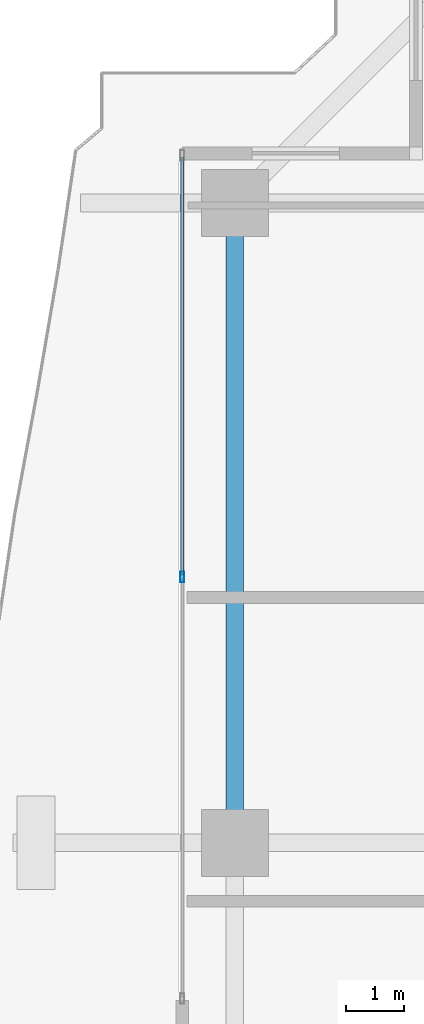
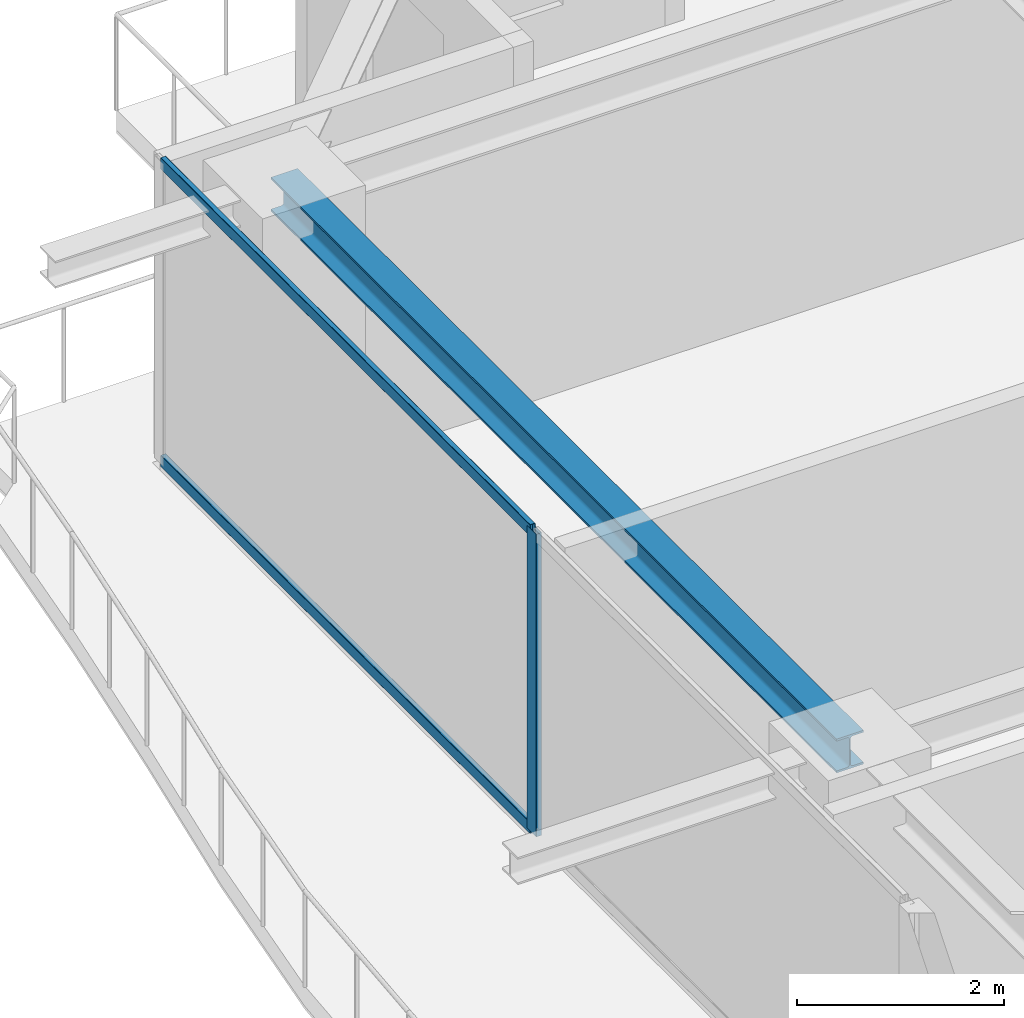
# One storey, part 17 of 38: 3 members, 1 beam, 1 element without a shape of its own.
"""IFC4 building model written with IfcOpenShell, lengths in metres."""

import ifcopenshell
import ifcopenshell.guid

model = None  # the IFC model being written
_history = None  # IfcOwnerHistory: only IFC2X3 demands one
_inside = {}  # id of a spatial element -> (the spatial element, [elements in it])
_under = {}  # id of a project, library or spatial element -> (it, [spatial elements below it])
_declared = {}  # id of a project -> (the project, [libraries it declares])
_typed = {}  # id of a type object -> (the type object, [elements of that type])
_made_of = {}  # id of a material, layer set ... -> (it, [elements and type objects made of it])


def new_model(schema):
    """Start an empty IFC model of exactly this schema.

    Asked for "IFC4X3", IfcOpenShell would pick the latest addendum, in which some entities
    have other attributes; the version numbers below select the first issue.
    IFC2X3 requires an IfcOwnerHistory on every rooted entity: one is made here for all.
    """
    global model, _history
    if schema == "IFC4X3":
        model = ifcopenshell.file(schema_version=(4, 3, 0, 0))
    else:
        model = ifcopenshell.file(schema=schema)
    _inside.clear()
    _under.clear()
    _declared.clear()
    _typed.clear()
    _made_of.clear()
    _history = None
    if model.schema == "IFC2X3":
        org = make("IfcOrganization", Name="unknown")
        user = make(
            "IfcPersonAndOrganization",
            ThePerson=make("IfcPerson", FamilyName="unknown"),
            TheOrganization=org,
        )
        app = make(
            "IfcApplication",
            ApplicationDeveloper=org,
            Version="unknown",
            ApplicationFullName="unknown",
            ApplicationIdentifier="unknown",
        )
        _history = make(
            "IfcOwnerHistory",
            OwningUser=user,
            OwningApplication=app,
            ChangeAction="ADDED",
            CreationDate=0,
        )
    return model


def make(cls, **values):
    """One entity of the class cls with the attributes given. An attribute that is None is left unset."""
    return model.create_entity(
        cls, **{name: value for name, value in values.items() if value is not None}
    )


def rooted(cls, **values):
    """An entity with a GlobalId (a new one), such as an element, a storey or a relation."""
    return make(cls, GlobalId=ifcopenshell.guid.new(), OwnerHistory=_history, **values)


def si_unit(unit_type, name, prefix=None):
    """IfcSIUnit, for example si_unit("LENGTHUNIT", "METRE", prefix="MILLI")."""
    return make("IfcSIUnit", UnitType=unit_type, Prefix=prefix, Name=name)


def assignment(units):
    """IfcUnitAssignment: the units of a project."""
    return None if units is None else make("IfcUnitAssignment", Units=units)


def point(xyz):
    """IfcCartesianPoint."""
    return None if xyz is None else make("IfcCartesianPoint", Coordinates=xyz)


def direction(xyz):
    """IfcDirection."""
    return None if xyz is None else make("IfcDirection", DirectionRatios=xyz)


def frame(location, z_axis=None, x_axis=None):
    """IfcAxis2Placement3D, a coordinate frame: its origin and axes. An axis left out is left unset."""
    return make(
        "IfcAxis2Placement3D",
        Location=point(location),
        Axis=direction(z_axis),
        RefDirection=direction(x_axis),
    )


def frame_2d(location, x_axis=None):
    """IfcAxis2Placement2D, a coordinate frame in the plane: its origin and x axis."""
    return make(
        "IfcAxis2Placement2D", Location=point(location), RefDirection=direction(x_axis)
    )


def origin():
    """The frame at (0, 0, 0) with its axes left unset."""
    return frame((0.0, 0.0, 0.0))


def origin_2d():
    """The frame at (0, 0) in the plane with its x axis left unset."""
    return frame_2d((0.0, 0.0))


def place(relative_to, where):
    """IfcLocalPlacement: puts the frame where relative to a parent placement (None: the world)."""
    return make(
        "IfcLocalPlacement", PlacementRelTo=relative_to, RelativePlacement=where
    )


def context(
    kind, dimensions, precision=None, world=None, true_north=None, identifier=None
):
    """IfcGeometricRepresentationContext, for example the 3D "Model" context."""
    return make(
        "IfcGeometricRepresentationContext",
        ContextIdentifier=identifier,
        ContextType=kind,
        CoordinateSpaceDimension=dimensions,
        Precision=precision,
        WorldCoordinateSystem=world,
        TrueNorth=true_north,
    )


def subcontext(parent, identifier, kind, view, scale=None):
    """IfcGeometricRepresentationSubContext, for example "Body" below "Model"."""
    return make(
        "IfcGeometricRepresentationSubContext",
        ContextIdentifier=identifier,
        ContextType=kind,
        ParentContext=parent,
        TargetScale=scale,
        TargetView=view,
    )


def project(units=None, contexts=None):
    """IfcProject with its units and contexts."""
    return rooted(
        "IfcProject",
        Name="project",
        RepresentationContexts=contexts,
        UnitsInContext=assignment(units),
    )


def spatial(cls, under=None, at=None, **own):
    """A site, building, storey or space (cls), placed at a placement, below another one or the project."""
    s = rooted(cls, ObjectPlacement=at, **own)
    if under is not None:
        _under.setdefault(under.id(), (under, []))[1].append(s)
    return s


def profile(cls, at=None, kind="AREA", **sizes):
    """A parametric profile (cls). Its sizes go by their IFC names, for example OverallWidth=200.0."""
    return make(cls, ProfileType=kind, Position=at, **sizes)


def hollow_rectangle(**sizes):
    """IfcRectangleHollowProfileDef."""
    return profile("IfcRectangleHollowProfileDef", **sizes)


def i_section(**sizes):
    """IfcIShapeProfileDef."""
    return profile("IfcIShapeProfileDef", **sizes)


def extrude(swept, where, along, depth):
    """IfcExtrudedAreaSolid: the profile swept, set in the frame where, extruded along a direction by depth."""
    return make(
        "IfcExtrudedAreaSolid",
        SweptArea=swept,
        Position=where,
        ExtrudedDirection=direction(along),
        Depth=depth,
    )


def shape(context_of_items, identifier, shape_type, items):
    """IfcShapeRepresentation: the items that make up one representation, for example the "Body"."""
    return make(
        "IfcShapeRepresentation",
        ContextOfItems=context_of_items,
        RepresentationIdentifier=identifier,
        RepresentationType=shape_type,
        Items=items,
    )


def source(mapping_origin, context_of_items, identifier, shape_type, items):
    """IfcRepresentationMap: a shape defined once, which mapped items show again and again."""
    return make(
        "IfcRepresentationMap",
        MappingOrigin=mapping_origin,
        MappedRepresentation=shape(context_of_items, identifier, shape_type, items),
    )


def transform(
    local_origin,
    x_axis=None,
    y_axis=None,
    z_axis=None,
    scale=None,
    scale2=None,
    scale3=None,
    uniform=True,
):
    """IfcCartesianTransformationOperator3D, or its non-uniform kind. x_axis, y_axis, z_axis: its Axis1, 2, 3."""
    if uniform:
        return make(
            "IfcCartesianTransformationOperator3D",
            Axis1=direction(x_axis),
            Axis2=direction(y_axis),
            LocalOrigin=point(local_origin),
            Scale=scale,
            Axis3=direction(z_axis),
        )
    return make(
        "IfcCartesianTransformationOperator3DnonUniform",
        Axis1=direction(x_axis),
        Axis2=direction(y_axis),
        LocalOrigin=point(local_origin),
        Scale=scale,
        Axis3=direction(z_axis),
        Scale2=scale2,
        Scale3=scale3,
    )


def mapped(mapping_source, mapping_target):
    """IfcMappedItem: shows the shape of a source again, moved by a transform."""
    return make(
        "IfcMappedItem", MappingSource=mapping_source, MappingTarget=mapping_target
    )


def material(Name=None, Category=None):
    """IfcMaterial."""
    return make("IfcMaterial", Name=Name, Category=Category)


def layer(
    of_material, thickness, ventilated=None, Name=None, Category=None, Priority=None
):
    """IfcMaterialLayer: one layer of a wall or slab, of a material (None: an air gap)."""
    return make(
        "IfcMaterialLayer",
        Material=of_material,
        LayerThickness=thickness,
        IsVentilated=ventilated,
        Name=Name,
        Category=Category,
        Priority=Priority,
    )


def layer_set(layers, Name=None):
    """IfcMaterialLayerSet."""
    return make("IfcMaterialLayerSet", MaterialLayers=layers, LayerSetName=Name)


def material_profile(
    of_material, cross_section, Name=None, Category=None, Priority=None
):
    """IfcMaterialProfile: a cross section and its material."""
    return make(
        "IfcMaterialProfile",
        Name=Name,
        Material=of_material,
        Profile=cross_section,
        Priority=Priority,
        Category=Category,
    )


def profile_set(profiles, Name=None, composite=None):
    """IfcMaterialProfileSet."""
    return make(
        "IfcMaterialProfileSet",
        Name=Name,
        MaterialProfiles=profiles,
        CompositeProfile=composite,
    )


def made_of(thing, what):
    """Note that an element or type object is made of a material, layer set ...; save() writes the relation."""
    if what is not None:
        _made_of.setdefault(what.id(), (what, []))[1].append(thing)
    return thing


def type_object(cls, material=None, **own):
    """A type object (cls), such as IfcWallType, which elements share."""
    return made_of(rooted(cls, **own), material)


def element(
    cls,
    number,
    at=None,
    inside=None,
    cuts=None,
    type_object=None,
    material=None,
    context=None,
    identifier="Body",
    shape_type=None,
    held_by="IfcProductDefinitionShape",
    body=None,
    shapes=None,
    **own,
):
    """One element of the class cls, such as IfcWall. Its Tag is "e" and its number.

    at: its placement. inside: the storey or other place that contains it. cuts: it is an
    opening in that element (IfcRelVoidsElement). A single representation is given by context,
    identifier, shape_type and body (its items); several are given by shapes. held_by: the class
    of the entity that holds the representations. save() writes the other relations.
    """
    e = rooted(cls, Tag="e%d" % number, ObjectPlacement=at, **own)
    if body is not None:
        shapes = [shape(context, identifier, shape_type, body)]
    if shapes is not None:
        e.Representation = make(held_by, Representations=shapes)
    if inside is not None:
        _inside.setdefault(inside.id(), (inside, []))[1].append(e)
    if cuts is not None:
        rooted(
            "IfcRelVoidsElement", RelatingBuildingElement=cuts, RelatedOpeningElement=e
        )
    if type_object is not None:
        _typed.setdefault(type_object.id(), (type_object, []))[1].append(e)
    return made_of(e, material)


def aggregate(whole, parts):
    """IfcRelAggregates: a whole, such as a stair, and the parts it consists of."""
    return rooted("IfcRelAggregates", RelatingObject=whole, RelatedObjects=parts)


def save(model, path):
    """Write the relations noted so far, then the file.

    IfcRelAggregates (storeys below a building ...), IfcRelContainedInSpatialStructure (elements
    in a storey), IfcRelDefinesByType, IfcRelAssociatesMaterial and IfcRelDeclares: one each for
    every whole, place, type object, material and project.
    """
    for whole, parts in _under.values():
        aggregate(whole, parts)
    for where, things in _inside.values():
        rooted(
            "IfcRelContainedInSpatialStructure",
            RelatedElements=things,
            RelatingStructure=where,
        )
    for kind, things in _typed.values():
        rooted("IfcRelDefinesByType", RelatedObjects=things, RelatingType=kind)
    for what, things in _made_of.values():
        rooted("IfcRelAssociatesMaterial", RelatedObjects=things, RelatingMaterial=what)
    for by, libraries in _declared.values():
        rooted("IfcRelDeclares", RelatingContext=by, RelatedDefinitions=libraries)
    model.write(path)


model = new_model("IFC4")

# Units and contexts
model_context = context("Model", 3, precision=1e-05, world=origin(), true_north=direction((0.0, 1.0)))
body_context = subcontext(model_context, "Body", "Model", "MODEL_VIEW")
ifc_project = project(units=[si_unit("LENGTHUNIT", "METRE"), si_unit("AREAUNIT", "SQUARE_METRE"), si_unit("VOLUMEUNIT", "CUBIC_METRE"), si_unit("PLANEANGLEUNIT", "RADIAN"), si_unit("MASSUNIT", "GRAM", prefix="KILO")], contexts=[model_context])

# Site, building, storey
site_placement = place(None, origin())
site = spatial("IfcSite", under=ifc_project, at=site_placement, CompositionType="ELEMENT")
building_placement = place(site_placement, origin())
building = spatial("IfcBuilding", under=site, at=building_placement, Name="Serunith Strait Residences", CompositionType="ELEMENT")
storey_placement = place(building_placement, frame((0.0, 0.0, 237.39990234375)))
storey = spatial("IfcBuildingStorey", under=building, at=storey_placement, Name="L59", CompositionType="ELEMENT", Elevation=237.39990234375)

# Beam
ifc_material_1 = material(Name="Steel S355J2", Category="steel")
ifc_material_profile_1 = material_profile(ifc_material_1, i_section(OverallWidth=0.300048828125, OverallDepth=0.39990234375, WebThickness=0.013427734375, FlangeThickness=0.02392578125, FilletRadius=0.027099609375, at=origin_2d()), Name="HEB 400")
ifc_profile_set_1 = profile_set([ifc_material_profile_1], Name="Steel S355J2")
beam_type = type_object("IfcBeamType", Name="BM-HEB400", PredefinedType="BEAM", material=ifc_profile_set_1)
shared_shape_1 = source(origin(), body_context, "Body", "SweptSolid", [
    extrude(i_section(OverallWidth=0.300048828125, OverallDepth=0.39990234375, WebThickness=0.013427734375, FlangeThickness=0.02392578125, FilletRadius=0.027099609375, at=origin_2d()), origin(), (0.0, 0.0, 1.0), 10.9501953125),
])
beam_placement = place(storey_placement, frame((8.300048828125, 40.35009765625, 3.38720703125), z_axis=(0.0, -1.0, 0.0), x_axis=(1.0, 0.0, 0.0)))
element("IfcBeam", 1, at=beam_placement, inside=storey, type_object=beam_type, Name="L59 Perimeter Ring Beam 13", PredefinedType="BEAM", context=body_context, shape_type="MappedRepresentation", body=[
    mapped(shared_shape_1, transform((0.0, 0.0, 0.0), scale=1.0)),
])

# Curtain wall, members
ifc_material_2 = material(Name="Pale-Champagne Anodised Aluminium", Category="aluminium")
ifc_layer = layer(ifc_material_2, 0.199951171875, Name="Pale-Champagne Anodised Aluminium")
ifc_layer_set = layer_set([ifc_layer], Name="Pale-Champagne Anodised Aluminium")
curtain_wall_type = type_object("IfcCurtainWallType", Name="CW-SYS4", PredefinedType="NOTDEFINED", material=ifc_layer_set)
curtain_wall_placement = place(storey_placement, origin())
curtain_wall = element("IfcCurtainWall", 2, at=curtain_wall_placement, inside=storey, type_object=curtain_wall_type, Name="L59 W Unitised Fritted Curtain Wall", PredefinedType="NOTDEFINED")
ifc_material_profile_2 = material_profile(ifc_material_2, hollow_rectangle(XDim=0.06005859375, YDim=0.139892578125, WallThickness=0.00341796875, InnerFilletRadius=0.00537109375, OuterFilletRadius=0.0087890625, at=origin_2d()), Name="ALU 140x60x3.5")
ifc_profile_set_2 = profile_set([ifc_material_profile_2], Name="Pale-Champagne Anodised Aluminium")
member_type_1 = type_object("IfcMemberType", Name="CW-SYS4-TRAN", PredefinedType="USERDEFINED", material=ifc_profile_set_2)
shared_shape_2 = source(origin(), body_context, "Body", "SweptSolid", [
    extrude(hollow_rectangle(XDim=0.06005859375, YDim=0.139892578125, WallThickness=0.00341796875, InnerFilletRadius=0.00537109375, OuterFilletRadius=0.0087890625, at=origin_2d()), origin(), (0.0, 0.0, 1.0), 7.152587890625),
])
member_1_placement = place(storey_placement, frame((7.39990234375, 41.135009765625, 0.030029296875), z_axis=(0.0, -1.0, 0.0), x_axis=(1.0, 0.0, 0.0)))
member_1 = element("IfcMember", 3, at=member_1_placement, type_object=member_type_1, Name="CW-4 transom 1.1", ObjectType="TRANSOM", PredefinedType="USERDEFINED", context=body_context, shape_type="MappedRepresentation", body=[
    mapped(shared_shape_2, transform((0.0, 0.0, 0.0), scale=1.0)),
])
member_2_placement = place(storey_placement, frame((7.39990234375, 41.135009765625, 3.545166015625), z_axis=(0.0, -1.0, 0.0), x_axis=(1.0, 0.0, 0.0)))
member_2 = element("IfcMember", 4, at=member_2_placement, type_object=member_type_1, Name="CW-4 transom 1.2", ObjectType="TRANSOM", PredefinedType="USERDEFINED", context=body_context, shape_type="MappedRepresentation", body=[
    mapped(shared_shape_2, transform((0.0, 0.0, 0.0), scale=1.0)),
])
ifc_material_profile_3 = material_profile(ifc_material_2, hollow_rectangle(XDim=0.06494140625, YDim=0.179931640625, WallThickness=0.00341796875, InnerFilletRadius=0.00537109375, OuterFilletRadius=0.0087890625, at=origin_2d()), Name="ALU 180x65x3.5")
ifc_profile_set_3 = profile_set([ifc_material_profile_3], Name="Pale-Champagne Anodised Aluminium")
member_type_2 = type_object("IfcMemberType", Name="CW-SYS4-MULL", PredefinedType="MULLION", material=ifc_profile_set_3)
shared_shape_3 = source(origin(), body_context, "Body", "SweptSolid", [
    extrude(hollow_rectangle(XDim=0.06494140625, YDim=0.179931640625, WallThickness=0.00341796875, InnerFilletRadius=0.00537109375, OuterFilletRadius=0.0087890625, at=origin_2d()), origin(), (0.0, 0.0, 1.0), 3.5751953125),
])
member_3_placement = place(storey_placement, frame((7.39990234375, 33.949951171875, 0.0), z_axis=(0.0, 0.0, 1.0), x_axis=(1.0, 0.0, 0.0)))
member_3 = element("IfcMember", 5, at=member_3_placement, type_object=member_type_2, Name="CW-4 mullion 2", PredefinedType="MULLION", context=body_context, shape_type="MappedRepresentation", body=[
    mapped(shared_shape_3, transform((0.0, 0.0, 0.0), scale=1.0)),
])
aggregate(curtain_wall, [member_3, member_1, member_2])

save(model, "model.ifc")
